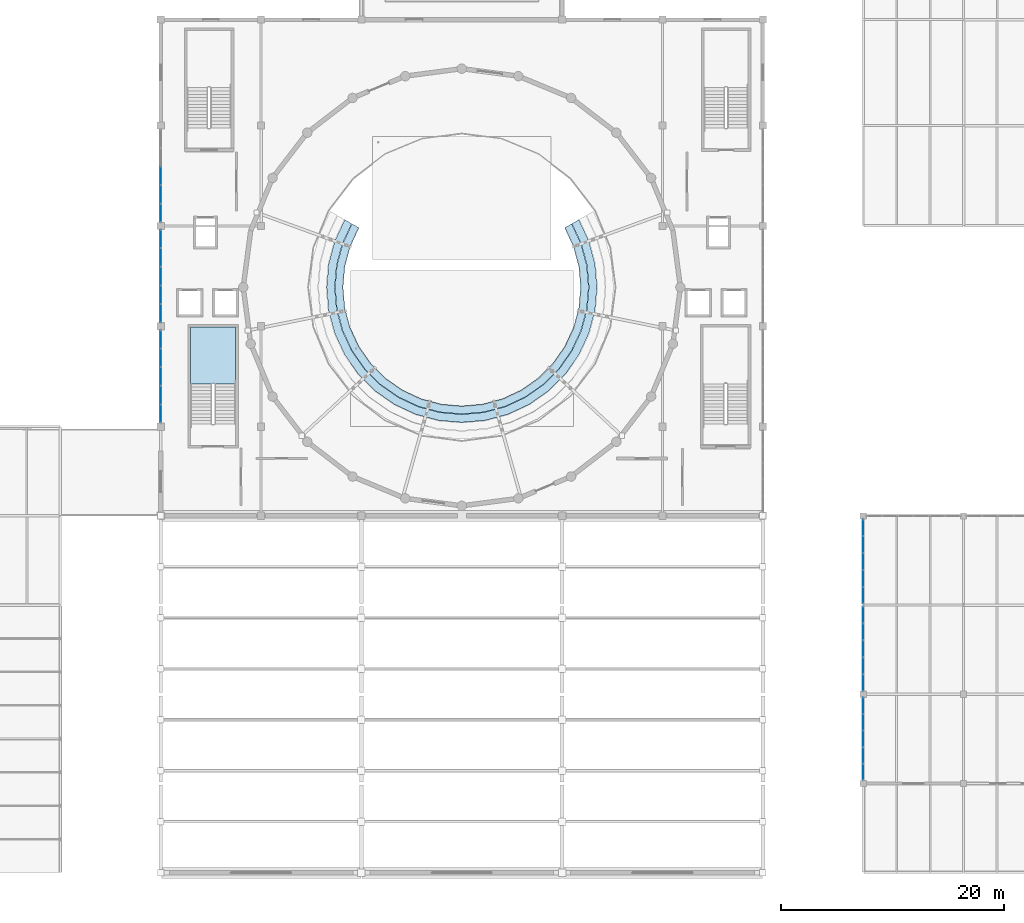
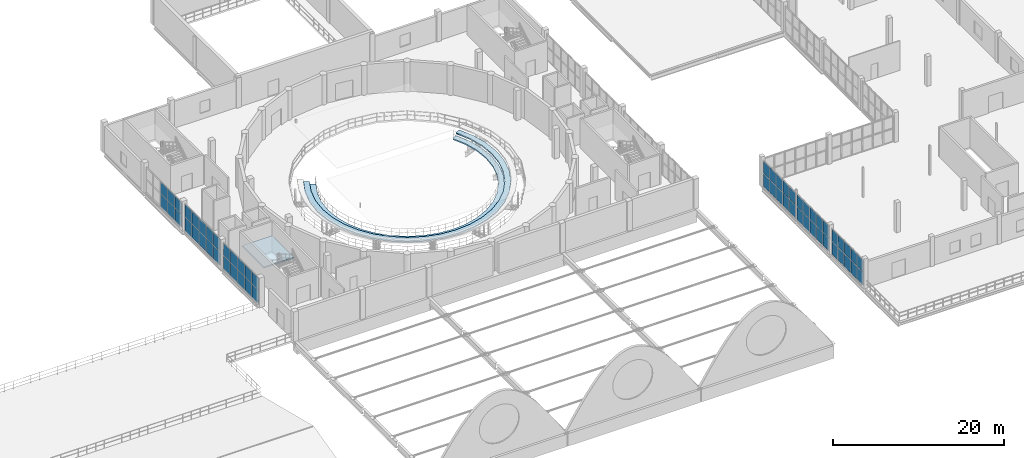
# One storey, part 34 of 54: 56 plates, 3 slabs, 7 elements without a shape of their own.
"""IFC4 building model written with IfcOpenShell, lengths in metres."""

from ifc_helpers import new_model, si_unit, direction, frame, origin, origin_2d, place, context, subcontext, project, spatial, polyline, rectangle, outline, extrude, material, layer, layer_set, type_object, element, aggregate, save


model = new_model("IFC4")

# Units and contexts
model_context = context("Model", 3, precision=1e-05, world=origin(), true_north=direction((0.0, 1.0)))
body_context = subcontext(model_context, "Body", "Model", "MODEL_VIEW")
ifc_project = project(units=[si_unit("LENGTHUNIT", "METRE"), si_unit("AREAUNIT", "SQUARE_METRE"), si_unit("VOLUMEUNIT", "CUBIC_METRE"), si_unit("PLANEANGLEUNIT", "RADIAN"), si_unit("MASSUNIT", "GRAM", prefix="KILO")], contexts=[model_context])

# Site, building, storey
site_placement = place(None, origin())
site = spatial("IfcSite", under=ifc_project, at=site_placement, CompositionType="ELEMENT")
building_placement = place(site_placement, origin())
building = spatial("IfcBuilding", under=site, at=building_placement, Name="Marnock Terrace Opera House", CompositionType="ELEMENT")
storey_placement = place(building_placement, frame((0.0, 0.0, 19.199951171875)))
storey = spatial("IfcBuildingStorey", under=building, at=storey_placement, Name="L04", CompositionType="ELEMENT", Elevation=19.199951171875)

# Curtain wall, plates
ifc_material_1 = material(Name="Anodised architectural bronze aluminium framing", Category="aluminium")
ifc_layer_1 = layer(ifc_material_1, 0.159912109375)
ifc_layer_set_1 = layer_set([ifc_layer_1], Name="Anodised architectural bronze aluminium framing")
curtain_wall_type = type_object("IfcCurtainWallType", Name="CW-DRUM-71x39", PredefinedType="NOTDEFINED", material=ifc_layer_set_1)
curtain_wall_1_placement = place(storey_placement, origin())
curtain_wall_1 = element("IfcCurtainWall", 1, at=curtain_wall_1_placement, inside=storey, type_object=curtain_wall_type, Name="L04 glazed Beaux-Arts colonnade curtain wall CW-L04-V1W2", PredefinedType="NOTDEFINED")
ifc_material_2 = material(Name="Double-glazed acoustic low-E laminated glass", Category="glass")
ifc_layer_2 = layer(ifc_material_2, 0.028076171875)
ifc_layer_set_2 = layer_set([ifc_layer_2], Name="Double-glazed acoustic low-E laminated glass")
plate_type = type_object("IfcPlateType", Name="CWP-GLZ-28", PredefinedType="CURTAIN_PANEL", material=ifc_layer_set_2)
plate_1_placement = place(storey_placement, frame((55.0, 49.171875, 0.06005859375), z_axis=(0.0, 0.0, 1.0), x_axis=(0.0, 1.0, 0.0)))
plate_1 = element("IfcPlate", 2, at=plate_1_placement, type_object=plate_type, Name="CW-76 panel 1.1", PredefinedType="CURTAIN_PANEL", context=body_context, shape_type="SweptSolid", body=[
    extrude(rectangle(XDim=1.58154296875, YDim=0.028076171875, at=origin_2d()), origin(), (0.0, 0.0, 1.0), 1.86669921875),
])
plate_2_placement = place(storey_placement, frame((55.0, 49.171875, 1.98681640625), z_axis=(0.0, 0.0, 1.0), x_axis=(0.0, 1.0, 0.0)))
plate_2 = element("IfcPlate", 3, at=plate_2_placement, type_object=plate_type, Name="CW-76 panel 1.2", PredefinedType="CURTAIN_PANEL", context=body_context, shape_type="SweptSolid", body=[
    extrude(rectangle(XDim=1.58154296875, YDim=0.028076171875, at=origin_2d()), origin(), (0.0, 0.0, 1.0), 1.716064453125),
])
plate_3_placement = place(storey_placement, frame((55.0, 50.828369140625, 0.06005859375), z_axis=(0.0, 0.0, 1.0), x_axis=(0.0, 1.0, 0.0)))
plate_3 = element("IfcPlate", 4, at=plate_3_placement, type_object=plate_type, Name="CW-76 panel 2.1", PredefinedType="CURTAIN_PANEL", context=body_context, shape_type="SweptSolid", body=[
    extrude(rectangle(XDim=1.611572265625, YDim=0.028076171875, at=origin_2d()), origin(), (0.0, 0.0, 1.0), 1.86669921875),
])
plate_4_placement = place(storey_placement, frame((55.0, 50.828369140625, 1.98681640625), z_axis=(0.0, 0.0, 1.0), x_axis=(0.0, 1.0, 0.0)))
plate_4 = element("IfcPlate", 5, at=plate_4_placement, type_object=plate_type, Name="CW-76 panel 2.2", PredefinedType="CURTAIN_PANEL", context=body_context, shape_type="SweptSolid", body=[
    extrude(rectangle(XDim=1.611572265625, YDim=0.028076171875, at=origin_2d()), origin(), (0.0, 0.0, 1.0), 1.716064453125),
])
plate_5_placement = place(storey_placement, frame((55.0, 52.5, 0.06005859375), z_axis=(0.0, 0.0, 1.0), x_axis=(0.0, 1.0, 0.0)))
plate_5 = element("IfcPlate", 6, at=plate_5_placement, type_object=plate_type, Name="CW-76 panel 3.1", PredefinedType="CURTAIN_PANEL", context=body_context, shape_type="SweptSolid", body=[
    extrude(rectangle(XDim=1.611572265625, YDim=0.028076171875, at=origin_2d()), origin(), (0.0, 0.0, 1.0), 1.86669921875),
])
plate_6_placement = place(storey_placement, frame((55.0, 52.5, 1.98681640625), z_axis=(0.0, 0.0, 1.0), x_axis=(0.0, 1.0, 0.0)))
plate_6 = element("IfcPlate", 7, at=plate_6_placement, type_object=plate_type, Name="CW-76 panel 3.2", PredefinedType="CURTAIN_PANEL", context=body_context, shape_type="SweptSolid", body=[
    extrude(rectangle(XDim=1.611572265625, YDim=0.028076171875, at=origin_2d()), origin(), (0.0, 0.0, 1.0), 1.716064453125),
])
plate_7_placement = place(storey_placement, frame((55.0, 54.171630859375, 0.06005859375), z_axis=(0.0, 0.0, 1.0), x_axis=(0.0, 1.0, 0.0)))
plate_7 = element("IfcPlate", 8, at=plate_7_placement, type_object=plate_type, Name="CW-76 panel 4.1", PredefinedType="CURTAIN_PANEL", context=body_context, shape_type="SweptSolid", body=[
    extrude(rectangle(XDim=1.611572265625, YDim=0.028076171875, at=origin_2d()), origin(), (0.0, 0.0, 1.0), 1.86669921875),
])
plate_8_placement = place(storey_placement, frame((55.0, 54.171630859375, 1.98681640625), z_axis=(0.0, 0.0, 1.0), x_axis=(0.0, 1.0, 0.0)))
plate_8 = element("IfcPlate", 9, at=plate_8_placement, type_object=plate_type, Name="CW-76 panel 4.2", PredefinedType="CURTAIN_PANEL", context=body_context, shape_type="SweptSolid", body=[
    extrude(rectangle(XDim=1.611572265625, YDim=0.028076171875, at=origin_2d()), origin(), (0.0, 0.0, 1.0), 1.716064453125),
])
plate_9_placement = place(storey_placement, frame((55.0, 55.828125, 0.06005859375), z_axis=(0.0, 0.0, 1.0), x_axis=(0.0, 1.0, 0.0)))
plate_9 = element("IfcPlate", 10, at=plate_9_placement, type_object=plate_type, Name="CW-76 panel 5.1", PredefinedType="CURTAIN_PANEL", context=body_context, shape_type="SweptSolid", body=[
    extrude(rectangle(XDim=1.58154296875, YDim=0.028076171875, at=origin_2d()), origin(), (0.0, 0.0, 1.0), 1.86669921875),
])
plate_10_placement = place(storey_placement, frame((55.0, 55.828125, 1.98681640625), z_axis=(0.0, 0.0, 1.0), x_axis=(0.0, 1.0, 0.0)))
plate_10 = element("IfcPlate", 11, at=plate_10_placement, type_object=plate_type, Name="CW-76 panel 5.2", PredefinedType="CURTAIN_PANEL", context=body_context, shape_type="SweptSolid", body=[
    extrude(rectangle(XDim=1.58154296875, YDim=0.028076171875, at=origin_2d()), origin(), (0.0, 0.0, 1.0), 1.716064453125),
])
aggregate(curtain_wall_1, [plate_1, plate_2, plate_3, plate_4, plate_5, plate_6, plate_7, plate_8, plate_9, plate_10])

curtain_wall_2_placement = place(storey_placement, origin())
curtain_wall_2 = element("IfcCurtainWall", 12, at=curtain_wall_2_placement, inside=storey, type_object=curtain_wall_type, Name="L04 glazed Beaux-Arts colonnade curtain wall CW-L04-V1W3", PredefinedType="NOTDEFINED")
plate_11_placement = place(storey_placement, frame((55.0, 58.171875, 0.06005859375), z_axis=(0.0, 0.0, 1.0), x_axis=(0.0, 1.0, 0.0)))
plate_11 = element("IfcPlate", 13, at=plate_11_placement, type_object=plate_type, Name="CW-76 panel 1.1", PredefinedType="CURTAIN_PANEL", context=body_context, shape_type="SweptSolid", body=[
    extrude(rectangle(XDim=1.58154296875, YDim=0.028076171875, at=origin_2d()), origin(), (0.0, 0.0, 1.0), 1.91943359375),
])
plate_12_placement = place(storey_placement, frame((55.0, 58.171875, 2.03955078125), z_axis=(0.0, 0.0, 1.0), x_axis=(0.0, 1.0, 0.0)))
plate_12 = element("IfcPlate", 14, at=plate_12_placement, type_object=plate_type, Name="CW-76 panel 1.2", PredefinedType="CURTAIN_PANEL", context=body_context, shape_type="SweptSolid", body=[
    extrude(rectangle(XDim=1.58154296875, YDim=0.028076171875, at=origin_2d()), origin(), (0.0, 0.0, 1.0), 1.764892578125),
])
plate_13_placement = place(storey_placement, frame((55.0, 59.828369140625, 0.06005859375), z_axis=(0.0, 0.0, 1.0), x_axis=(0.0, 1.0, 0.0)))
plate_13 = element("IfcPlate", 15, at=plate_13_placement, type_object=plate_type, Name="CW-76 panel 2.1", PredefinedType="CURTAIN_PANEL", context=body_context, shape_type="SweptSolid", body=[
    extrude(rectangle(XDim=1.611572265625, YDim=0.028076171875, at=origin_2d()), origin(), (0.0, 0.0, 1.0), 1.91943359375),
])
plate_14_placement = place(storey_placement, frame((55.0, 59.828369140625, 2.03955078125), z_axis=(0.0, 0.0, 1.0), x_axis=(0.0, 1.0, 0.0)))
plate_14 = element("IfcPlate", 16, at=plate_14_placement, type_object=plate_type, Name="CW-76 panel 2.2", PredefinedType="CURTAIN_PANEL", context=body_context, shape_type="SweptSolid", body=[
    extrude(rectangle(XDim=1.611572265625, YDim=0.028076171875, at=origin_2d()), origin(), (0.0, 0.0, 1.0), 1.764892578125),
])
plate_15_placement = place(storey_placement, frame((55.0, 61.5, 0.06005859375), z_axis=(0.0, 0.0, 1.0), x_axis=(0.0, 1.0, 0.0)))
plate_15 = element("IfcPlate", 17, at=plate_15_placement, type_object=plate_type, Name="CW-76 panel 3.1", PredefinedType="CURTAIN_PANEL", context=body_context, shape_type="SweptSolid", body=[
    extrude(rectangle(XDim=1.611572265625, YDim=0.028076171875, at=origin_2d()), origin(), (0.0, 0.0, 1.0), 1.91943359375),
])
plate_16_placement = place(storey_placement, frame((55.0, 61.5, 2.03955078125), z_axis=(0.0, 0.0, 1.0), x_axis=(0.0, 1.0, 0.0)))
plate_16 = element("IfcPlate", 18, at=plate_16_placement, type_object=plate_type, Name="CW-76 panel 3.2", PredefinedType="CURTAIN_PANEL", context=body_context, shape_type="SweptSolid", body=[
    extrude(rectangle(XDim=1.611572265625, YDim=0.028076171875, at=origin_2d()), origin(), (0.0, 0.0, 1.0), 1.764892578125),
])
plate_17_placement = place(storey_placement, frame((55.0, 63.171630859375, 0.06005859375), z_axis=(0.0, 0.0, 1.0), x_axis=(0.0, 1.0, 0.0)))
plate_17 = element("IfcPlate", 19, at=plate_17_placement, type_object=plate_type, Name="CW-76 panel 4.1", PredefinedType="CURTAIN_PANEL", context=body_context, shape_type="SweptSolid", body=[
    extrude(rectangle(XDim=1.611572265625, YDim=0.028076171875, at=origin_2d()), origin(), (0.0, 0.0, 1.0), 1.91943359375),
])
plate_18_placement = place(storey_placement, frame((55.0, 63.171630859375, 2.03955078125), z_axis=(0.0, 0.0, 1.0), x_axis=(0.0, 1.0, 0.0)))
plate_18 = element("IfcPlate", 20, at=plate_18_placement, type_object=plate_type, Name="CW-76 panel 4.2", PredefinedType="CURTAIN_PANEL", context=body_context, shape_type="SweptSolid", body=[
    extrude(rectangle(XDim=1.611572265625, YDim=0.028076171875, at=origin_2d()), origin(), (0.0, 0.0, 1.0), 1.764892578125),
])
plate_19_placement = place(storey_placement, frame((55.0, 64.828125, 0.06005859375), z_axis=(0.0, 0.0, 1.0), x_axis=(0.0, 1.0, 0.0)))
plate_19 = element("IfcPlate", 21, at=plate_19_placement, type_object=plate_type, Name="CW-76 panel 5.1", PredefinedType="CURTAIN_PANEL", context=body_context, shape_type="SweptSolid", body=[
    extrude(rectangle(XDim=1.58154296875, YDim=0.028076171875, at=origin_2d()), origin(), (0.0, 0.0, 1.0), 1.91943359375),
])
plate_20_placement = place(storey_placement, frame((55.0, 64.828125, 2.03955078125), z_axis=(0.0, 0.0, 1.0), x_axis=(0.0, 1.0, 0.0)))
plate_20 = element("IfcPlate", 22, at=plate_20_placement, type_object=plate_type, Name="CW-76 panel 5.2", PredefinedType="CURTAIN_PANEL", context=body_context, shape_type="SweptSolid", body=[
    extrude(rectangle(XDim=1.58154296875, YDim=0.028076171875, at=origin_2d()), origin(), (0.0, 0.0, 1.0), 1.764892578125),
])
aggregate(curtain_wall_2, [plate_11, plate_12, plate_13, plate_14, plate_15, plate_16, plate_17, plate_18, plate_19, plate_20])

curtain_wall_3_placement = place(storey_placement, origin())
curtain_wall_3 = element("IfcCurtainWall", 23, at=curtain_wall_3_placement, inside=storey, type_object=curtain_wall_type, Name="L04 glazed Beaux-Arts colonnade curtain wall CW-L04-V1W4", PredefinedType="NOTDEFINED")
plate_21_placement = place(storey_placement, frame((55.0, 67.171875, 0.06005859375), z_axis=(0.0, 0.0, 1.0), x_axis=(0.0, 1.0, 0.0)))
plate_21 = element("IfcPlate", 24, at=plate_21_placement, type_object=plate_type, Name="CW-76 panel 1.1", PredefinedType="CURTAIN_PANEL", context=body_context, shape_type="SweptSolid", body=[
    extrude(rectangle(XDim=1.58154296875, YDim=0.028076171875, at=origin_2d()), origin(), (0.0, 0.0, 1.0), 1.79150390625),
])
plate_22_placement = place(storey_placement, frame((55.0, 67.171875, 1.91162109375), z_axis=(0.0, 0.0, 1.0), x_axis=(0.0, 1.0, 0.0)))
plate_22 = element("IfcPlate", 25, at=plate_22_placement, type_object=plate_type, Name="CW-76 panel 1.2", PredefinedType="CURTAIN_PANEL", context=body_context, shape_type="SweptSolid", body=[
    extrude(rectangle(XDim=1.58154296875, YDim=0.028076171875, at=origin_2d()), origin(), (0.0, 0.0, 1.0), 1.646484375),
])
plate_23_placement = place(storey_placement, frame((55.0, 68.828369140625, 0.06005859375), z_axis=(0.0, 0.0, 1.0), x_axis=(0.0, 1.0, 0.0)))
plate_23 = element("IfcPlate", 26, at=plate_23_placement, type_object=plate_type, Name="CW-76 panel 2.1", PredefinedType="CURTAIN_PANEL", context=body_context, shape_type="SweptSolid", body=[
    extrude(rectangle(XDim=1.611572265625, YDim=0.028076171875, at=origin_2d()), origin(), (0.0, 0.0, 1.0), 1.79150390625),
])
plate_24_placement = place(storey_placement, frame((55.0, 68.828369140625, 1.91162109375), z_axis=(0.0, 0.0, 1.0), x_axis=(0.0, 1.0, 0.0)))
plate_24 = element("IfcPlate", 27, at=plate_24_placement, type_object=plate_type, Name="CW-76 panel 2.2", PredefinedType="CURTAIN_PANEL", context=body_context, shape_type="SweptSolid", body=[
    extrude(rectangle(XDim=1.611572265625, YDim=0.028076171875, at=origin_2d()), origin(), (0.0, 0.0, 1.0), 1.646484375),
])
plate_25_placement = place(storey_placement, frame((55.0, 70.5, 0.06005859375), z_axis=(0.0, 0.0, 1.0), x_axis=(0.0, 1.0, 0.0)))
plate_25 = element("IfcPlate", 28, at=plate_25_placement, type_object=plate_type, Name="CW-76 panel 3.1", PredefinedType="CURTAIN_PANEL", context=body_context, shape_type="SweptSolid", body=[
    extrude(rectangle(XDim=1.611572265625, YDim=0.028076171875, at=origin_2d()), origin(), (0.0, 0.0, 1.0), 1.79150390625),
])
plate_26_placement = place(storey_placement, frame((55.0, 70.5, 1.91162109375), z_axis=(0.0, 0.0, 1.0), x_axis=(0.0, 1.0, 0.0)))
plate_26 = element("IfcPlate", 29, at=plate_26_placement, type_object=plate_type, Name="CW-76 panel 3.2", PredefinedType="CURTAIN_PANEL", context=body_context, shape_type="SweptSolid", body=[
    extrude(rectangle(XDim=1.611572265625, YDim=0.028076171875, at=origin_2d()), origin(), (0.0, 0.0, 1.0), 1.646484375),
])
aggregate(curtain_wall_3, [plate_21, plate_22, plate_23, plate_24, plate_25, plate_26])

curtain_wall_4_placement = place(storey_placement, origin())
curtain_wall_4 = element("IfcCurtainWall", 30, at=curtain_wall_4_placement, inside=storey, type_object=curtain_wall_type, Name="L04 glazed Beaux-Arts colonnade curtain wall CW-L04-V5W1", PredefinedType="NOTDEFINED")
plate_27_placement = place(storey_placement, frame((118.0, 17.03173828125, 0.06005859375), z_axis=(0.0, 0.0, 1.0), x_axis=(0.0, 1.0, 0.0)))
plate_27 = element("IfcPlate", 31, at=plate_27_placement, type_object=plate_type, Name="CW-76 panel 1.1", PredefinedType="CURTAIN_PANEL", context=body_context, shape_type="SweptSolid", body=[
    extrude(rectangle(XDim=1.401611328125, YDim=0.028076171875, at=origin_2d()), origin(), (0.0, 0.0, 1.0), 1.845458984375),
])
plate_28_placement = place(storey_placement, frame((118.0, 17.03173828125, 1.96533203125), z_axis=(0.0, 0.0, 1.0), x_axis=(0.0, 1.0, 0.0)))
plate_28 = element("IfcPlate", 32, at=plate_28_placement, type_object=plate_type, Name="CW-76 panel 1.2", PredefinedType="CURTAIN_PANEL", context=body_context, shape_type="SweptSolid", body=[
    extrude(rectangle(XDim=1.401611328125, YDim=0.028076171875, at=origin_2d()), origin(), (0.0, 0.0, 1.0), 1.696533203125),
])
plate_29_placement = place(storey_placement, frame((118.0, 18.50830078125, 0.06005859375), z_axis=(0.0, 0.0, 1.0), x_axis=(0.0, 1.0, 0.0)))
plate_29 = element("IfcPlate", 33, at=plate_29_placement, type_object=plate_type, Name="CW-76 panel 2.1", PredefinedType="CURTAIN_PANEL", context=body_context, shape_type="SweptSolid", body=[
    extrude(rectangle(XDim=1.431640625, YDim=0.028076171875, at=origin_2d()), origin(), (0.0, 0.0, 1.0), 1.845458984375),
])
plate_30_placement = place(storey_placement, frame((118.0, 18.50830078125, 1.96533203125), z_axis=(0.0, 0.0, 1.0), x_axis=(0.0, 1.0, 0.0)))
plate_30 = element("IfcPlate", 34, at=plate_30_placement, type_object=plate_type, Name="CW-76 panel 2.2", PredefinedType="CURTAIN_PANEL", context=body_context, shape_type="SweptSolid", body=[
    extrude(rectangle(XDim=1.431640625, YDim=0.028076171875, at=origin_2d()), origin(), (0.0, 0.0, 1.0), 1.696533203125),
])
plate_31_placement = place(storey_placement, frame((118.0, 20.0, 0.06005859375), z_axis=(0.0, 0.0, 1.0), x_axis=(0.0, 1.0, 0.0)))
plate_31 = element("IfcPlate", 35, at=plate_31_placement, type_object=plate_type, Name="CW-76 panel 3.1", PredefinedType="CURTAIN_PANEL", context=body_context, shape_type="SweptSolid", body=[
    extrude(rectangle(XDim=1.431640625, YDim=0.028076171875, at=origin_2d()), origin(), (0.0, 0.0, 1.0), 1.845458984375),
])
plate_32_placement = place(storey_placement, frame((118.0, 20.0, 1.96533203125), z_axis=(0.0, 0.0, 1.0), x_axis=(0.0, 1.0, 0.0)))
plate_32 = element("IfcPlate", 36, at=plate_32_placement, type_object=plate_type, Name="CW-76 panel 3.2", PredefinedType="CURTAIN_PANEL", context=body_context, shape_type="SweptSolid", body=[
    extrude(rectangle(XDim=1.431640625, YDim=0.028076171875, at=origin_2d()), origin(), (0.0, 0.0, 1.0), 1.696533203125),
])
plate_33_placement = place(storey_placement, frame((118.0, 21.49169921875, 0.06005859375), z_axis=(0.0, 0.0, 1.0), x_axis=(0.0, 1.0, 0.0)))
plate_33 = element("IfcPlate", 37, at=plate_33_placement, type_object=plate_type, Name="CW-76 panel 4.1", PredefinedType="CURTAIN_PANEL", context=body_context, shape_type="SweptSolid", body=[
    extrude(rectangle(XDim=1.431640625, YDim=0.028076171875, at=origin_2d()), origin(), (0.0, 0.0, 1.0), 1.845458984375),
])
plate_34_placement = place(storey_placement, frame((118.0, 21.49169921875, 1.96533203125), z_axis=(0.0, 0.0, 1.0), x_axis=(0.0, 1.0, 0.0)))
plate_34 = element("IfcPlate", 38, at=plate_34_placement, type_object=plate_type, Name="CW-76 panel 4.2", PredefinedType="CURTAIN_PANEL", context=body_context, shape_type="SweptSolid", body=[
    extrude(rectangle(XDim=1.431640625, YDim=0.028076171875, at=origin_2d()), origin(), (0.0, 0.0, 1.0), 1.696533203125),
])
plate_35_placement = place(storey_placement, frame((118.0, 22.96826171875, 0.06005859375), z_axis=(0.0, 0.0, 1.0), x_axis=(0.0, 1.0, 0.0)))
plate_35 = element("IfcPlate", 39, at=plate_35_placement, type_object=plate_type, Name="CW-76 panel 5.1", PredefinedType="CURTAIN_PANEL", context=body_context, shape_type="SweptSolid", body=[
    extrude(rectangle(XDim=1.401611328125, YDim=0.028076171875, at=origin_2d()), origin(), (0.0, 0.0, 1.0), 1.845458984375),
])
plate_36_placement = place(storey_placement, frame((118.0, 22.96826171875, 1.96533203125), z_axis=(0.0, 0.0, 1.0), x_axis=(0.0, 1.0, 0.0)))
plate_36 = element("IfcPlate", 40, at=plate_36_placement, type_object=plate_type, Name="CW-76 panel 5.2", PredefinedType="CURTAIN_PANEL", context=body_context, shape_type="SweptSolid", body=[
    extrude(rectangle(XDim=1.401611328125, YDim=0.028076171875, at=origin_2d()), origin(), (0.0, 0.0, 1.0), 1.696533203125),
])
aggregate(curtain_wall_4, [plate_27, plate_28, plate_29, plate_30, plate_31, plate_32, plate_33, plate_34, plate_35, plate_36])

curtain_wall_5_placement = place(storey_placement, origin())
curtain_wall_5 = element("IfcCurtainWall", 41, at=curtain_wall_5_placement, inside=storey, type_object=curtain_wall_type, Name="L04 glazed Beaux-Arts colonnade curtain wall CW-L04-V5W2", PredefinedType="NOTDEFINED")
plate_37_placement = place(storey_placement, frame((118.0, 25.048828125, 0.06005859375), z_axis=(0.0, 0.0, 1.0), x_axis=(0.0, 1.0, 0.0)))
plate_37 = element("IfcPlate", 42, at=plate_37_placement, type_object=plate_type, Name="CW-76 panel 1.1", PredefinedType="CURTAIN_PANEL", context=body_context, shape_type="SweptSolid", body=[
    extrude(rectangle(XDim=1.435546875, YDim=0.028076171875, at=origin_2d()), origin(), (0.0, 0.0, 1.0), 1.845458984375),
])
plate_38_placement = place(storey_placement, frame((118.0, 25.048828125, 1.96533203125), z_axis=(0.0, 0.0, 1.0), x_axis=(0.0, 1.0, 0.0)))
plate_38 = element("IfcPlate", 43, at=plate_38_placement, type_object=plate_type, Name="CW-76 panel 1.2", PredefinedType="CURTAIN_PANEL", context=body_context, shape_type="SweptSolid", body=[
    extrude(rectangle(XDim=1.435546875, YDim=0.028076171875, at=origin_2d()), origin(), (0.0, 0.0, 1.0), 1.696533203125),
])
plate_39_placement = place(storey_placement, frame((118.0, 26.559326171875, 0.06005859375), z_axis=(0.0, 0.0, 1.0), x_axis=(0.0, 1.0, 0.0)))
plate_39 = element("IfcPlate", 44, at=plate_39_placement, type_object=plate_type, Name="CW-76 panel 2.1", PredefinedType="CURTAIN_PANEL", context=body_context, shape_type="SweptSolid", body=[
    extrude(rectangle(XDim=1.465576171875, YDim=0.028076171875, at=origin_2d()), origin(), (0.0, 0.0, 1.0), 1.845458984375),
])
plate_40_placement = place(storey_placement, frame((118.0, 26.559326171875, 1.96533203125), z_axis=(0.0, 0.0, 1.0), x_axis=(0.0, 1.0, 0.0)))
plate_40 = element("IfcPlate", 45, at=plate_40_placement, type_object=plate_type, Name="CW-76 panel 2.2", PredefinedType="CURTAIN_PANEL", context=body_context, shape_type="SweptSolid", body=[
    extrude(rectangle(XDim=1.465576171875, YDim=0.028076171875, at=origin_2d()), origin(), (0.0, 0.0, 1.0), 1.696533203125),
])
plate_41_placement = place(storey_placement, frame((118.0, 28.0849609375, 0.06005859375), z_axis=(0.0, 0.0, 1.0), x_axis=(0.0, 1.0, 0.0)))
plate_41 = element("IfcPlate", 46, at=plate_41_placement, type_object=plate_type, Name="CW-76 panel 3.1", PredefinedType="CURTAIN_PANEL", context=body_context, shape_type="SweptSolid", body=[
    extrude(rectangle(XDim=1.465576171875, YDim=0.028076171875, at=origin_2d()), origin(), (0.0, 0.0, 1.0), 1.845458984375),
])
plate_42_placement = place(storey_placement, frame((118.0, 28.0849609375, 1.96533203125), z_axis=(0.0, 0.0, 1.0), x_axis=(0.0, 1.0, 0.0)))
plate_42 = element("IfcPlate", 47, at=plate_42_placement, type_object=plate_type, Name="CW-76 panel 3.2", PredefinedType="CURTAIN_PANEL", context=body_context, shape_type="SweptSolid", body=[
    extrude(rectangle(XDim=1.465576171875, YDim=0.028076171875, at=origin_2d()), origin(), (0.0, 0.0, 1.0), 1.696533203125),
])
plate_43_placement = place(storey_placement, frame((118.0, 29.610595703125, 0.06005859375), z_axis=(0.0, 0.0, 1.0), x_axis=(0.0, 1.0, 0.0)))
plate_43 = element("IfcPlate", 48, at=plate_43_placement, type_object=plate_type, Name="CW-76 panel 4.1", PredefinedType="CURTAIN_PANEL", context=body_context, shape_type="SweptSolid", body=[
    extrude(rectangle(XDim=1.465576171875, YDim=0.028076171875, at=origin_2d()), origin(), (0.0, 0.0, 1.0), 1.845458984375),
])
plate_44_placement = place(storey_placement, frame((118.0, 29.610595703125, 1.96533203125), z_axis=(0.0, 0.0, 1.0), x_axis=(0.0, 1.0, 0.0)))
plate_44 = element("IfcPlate", 49, at=plate_44_placement, type_object=plate_type, Name="CW-76 panel 4.2", PredefinedType="CURTAIN_PANEL", context=body_context, shape_type="SweptSolid", body=[
    extrude(rectangle(XDim=1.465576171875, YDim=0.028076171875, at=origin_2d()), origin(), (0.0, 0.0, 1.0), 1.696533203125),
])
plate_45_placement = place(storey_placement, frame((118.0, 31.121337890625, 0.06005859375), z_axis=(0.0, 0.0, 1.0), x_axis=(0.0, 1.0, 0.0)))
plate_45 = element("IfcPlate", 50, at=plate_45_placement, type_object=plate_type, Name="CW-76 panel 5.1", PredefinedType="CURTAIN_PANEL", context=body_context, shape_type="SweptSolid", body=[
    extrude(rectangle(XDim=1.435546875, YDim=0.028076171875, at=origin_2d()), origin(), (0.0, 0.0, 1.0), 1.845458984375),
])
plate_46_placement = place(storey_placement, frame((118.0, 31.121337890625, 1.96533203125), z_axis=(0.0, 0.0, 1.0), x_axis=(0.0, 1.0, 0.0)))
plate_46 = element("IfcPlate", 51, at=plate_46_placement, type_object=plate_type, Name="CW-76 panel 5.2", PredefinedType="CURTAIN_PANEL", context=body_context, shape_type="SweptSolid", body=[
    extrude(rectangle(XDim=1.435546875, YDim=0.028076171875, at=origin_2d()), origin(), (0.0, 0.0, 1.0), 1.696533203125),
])
aggregate(curtain_wall_5, [plate_37, plate_38, plate_39, plate_40, plate_41, plate_42, plate_43, plate_44, plate_45, plate_46])

curtain_wall_6_placement = place(storey_placement, origin())
curtain_wall_6 = element("IfcCurtainWall", 52, at=curtain_wall_6_placement, inside=storey, type_object=curtain_wall_type, Name="L04 glazed Beaux-Arts colonnade curtain wall CW-L04-V5W3", PredefinedType="NOTDEFINED")
plate_47_placement = place(storey_placement, frame((118.0, 32.878662109375, 0.06005859375), z_axis=(0.0, 0.0, 1.0), x_axis=(0.0, 1.0, 0.0)))
plate_47 = element("IfcPlate", 53, at=plate_47_placement, type_object=plate_type, Name="CW-76 panel 1.1", PredefinedType="CURTAIN_PANEL", context=body_context, shape_type="SweptSolid", body=[
    extrude(rectangle(XDim=1.435546875, YDim=0.028076171875, at=origin_2d()), origin(), (0.0, 0.0, 1.0), 1.845458984375),
])
plate_48_placement = place(storey_placement, frame((118.0, 32.878662109375, 1.96533203125), z_axis=(0.0, 0.0, 1.0), x_axis=(0.0, 1.0, 0.0)))
plate_48 = element("IfcPlate", 54, at=plate_48_placement, type_object=plate_type, Name="CW-76 panel 1.2", PredefinedType="CURTAIN_PANEL", context=body_context, shape_type="SweptSolid", body=[
    extrude(rectangle(XDim=1.435546875, YDim=0.028076171875, at=origin_2d()), origin(), (0.0, 0.0, 1.0), 1.696533203125),
])
plate_49_placement = place(storey_placement, frame((118.0, 34.389404296875, 0.06005859375), z_axis=(0.0, 0.0, 1.0), x_axis=(0.0, 1.0, 0.0)))
plate_49 = element("IfcPlate", 55, at=plate_49_placement, type_object=plate_type, Name="CW-76 panel 2.1", PredefinedType="CURTAIN_PANEL", context=body_context, shape_type="SweptSolid", body=[
    extrude(rectangle(XDim=1.465576171875, YDim=0.028076171875, at=origin_2d()), origin(), (0.0, 0.0, 1.0), 1.845458984375),
])
plate_50_placement = place(storey_placement, frame((118.0, 34.389404296875, 1.96533203125), z_axis=(0.0, 0.0, 1.0), x_axis=(0.0, 1.0, 0.0)))
plate_50 = element("IfcPlate", 56, at=plate_50_placement, type_object=plate_type, Name="CW-76 panel 2.2", PredefinedType="CURTAIN_PANEL", context=body_context, shape_type="SweptSolid", body=[
    extrude(rectangle(XDim=1.465576171875, YDim=0.028076171875, at=origin_2d()), origin(), (0.0, 0.0, 1.0), 1.696533203125),
])
plate_51_placement = place(storey_placement, frame((118.0, 35.9150390625, 0.06005859375), z_axis=(0.0, 0.0, 1.0), x_axis=(0.0, 1.0, 0.0)))
plate_51 = element("IfcPlate", 57, at=plate_51_placement, type_object=plate_type, Name="CW-76 panel 3.1", PredefinedType="CURTAIN_PANEL", context=body_context, shape_type="SweptSolid", body=[
    extrude(rectangle(XDim=1.465576171875, YDim=0.028076171875, at=origin_2d()), origin(), (0.0, 0.0, 1.0), 1.845458984375),
])
plate_52_placement = place(storey_placement, frame((118.0, 35.9150390625, 1.96533203125), z_axis=(0.0, 0.0, 1.0), x_axis=(0.0, 1.0, 0.0)))
plate_52 = element("IfcPlate", 58, at=plate_52_placement, type_object=plate_type, Name="CW-76 panel 3.2", PredefinedType="CURTAIN_PANEL", context=body_context, shape_type="SweptSolid", body=[
    extrude(rectangle(XDim=1.465576171875, YDim=0.028076171875, at=origin_2d()), origin(), (0.0, 0.0, 1.0), 1.696533203125),
])
plate_53_placement = place(storey_placement, frame((118.0, 37.440673828125, 0.06005859375), z_axis=(0.0, 0.0, 1.0), x_axis=(0.0, 1.0, 0.0)))
plate_53 = element("IfcPlate", 59, at=plate_53_placement, type_object=plate_type, Name="CW-76 panel 4.1", PredefinedType="CURTAIN_PANEL", context=body_context, shape_type="SweptSolid", body=[
    extrude(rectangle(XDim=1.465576171875, YDim=0.028076171875, at=origin_2d()), origin(), (0.0, 0.0, 1.0), 1.845458984375),
])
plate_54_placement = place(storey_placement, frame((118.0, 37.440673828125, 1.96533203125), z_axis=(0.0, 0.0, 1.0), x_axis=(0.0, 1.0, 0.0)))
plate_54 = element("IfcPlate", 60, at=plate_54_placement, type_object=plate_type, Name="CW-76 panel 4.2", PredefinedType="CURTAIN_PANEL", context=body_context, shape_type="SweptSolid", body=[
    extrude(rectangle(XDim=1.465576171875, YDim=0.028076171875, at=origin_2d()), origin(), (0.0, 0.0, 1.0), 1.696533203125),
])
plate_55_placement = place(storey_placement, frame((118.0, 38.951171875, 0.06005859375), z_axis=(0.0, 0.0, 1.0), x_axis=(0.0, 1.0, 0.0)))
plate_55 = element("IfcPlate", 61, at=plate_55_placement, type_object=plate_type, Name="CW-76 panel 5.1", PredefinedType="CURTAIN_PANEL", context=body_context, shape_type="SweptSolid", body=[
    extrude(rectangle(XDim=1.435546875, YDim=0.028076171875, at=origin_2d()), origin(), (0.0, 0.0, 1.0), 1.845458984375),
])
plate_56_placement = place(storey_placement, frame((118.0, 38.951171875, 1.96533203125), z_axis=(0.0, 0.0, 1.0), x_axis=(0.0, 1.0, 0.0)))
plate_56 = element("IfcPlate", 62, at=plate_56_placement, type_object=plate_type, Name="CW-76 panel 5.2", PredefinedType="CURTAIN_PANEL", context=body_context, shape_type="SweptSolid", body=[
    extrude(rectangle(XDim=1.435546875, YDim=0.028076171875, at=origin_2d()), origin(), (0.0, 0.0, 1.0), 1.696533203125),
])
aggregate(curtain_wall_6, [plate_47, plate_48, plate_49, plate_50, plate_51, plate_52, plate_53, plate_54, plate_55, plate_56])

# Stair, slab
ifc_material_3 = material(Name="Concrete N40 (f'c = 40 MPa)", Category="concrete")
stair_type = type_object("IfcStairType", Name="ST-TYPE-2600", PredefinedType="HALF_TURN_STAIR", material=ifc_material_3)
stair_placement = place(storey_placement, origin())
stair = element("IfcStair", 63, at=stair_placement, inside=storey, type_object=stair_type, Name="L04 ST-01", PredefinedType="HALF_TURN_STAIR")
ifc_material_4 = material(Name="Concrete N32 (f'c = 32 MPa)", Category="concrete")
ifc_layer_3 = layer(ifc_material_4, 0.199951171875)
ifc_layer_set_3 = layer_set([ifc_layer_3], Name="Concrete N32 (f'c = 32 MPa)")
slab_type_1 = type_object("IfcSlabType", Name="SL-LAND-200", PredefinedType="LANDING", material=ifc_layer_set_3)
slab_1_placement = place(storey_placement, frame((0.0, 0.0, 2.050048828125)))
slab_1 = element("IfcSlab", 64, at=slab_1_placement, type_object=slab_type_1, Name="ST-01 landing 1", PredefinedType="LANDING", context=body_context, shape_type="SweptSolid", body=[
    extrude(outline(polyline([(61.719970703125, 51.840087890625), (61.719970703125, 56.919921875), (57.679931640625, 56.919921875), (57.679931640625, 51.840087890625), (61.719970703125, 51.840087890625)])), origin(), (0.0, 0.0, 1.0), 0.199951171875),
])
aggregate(stair, [slab_1])

# Slabs
ifc_layer_4 = layer(ifc_material_3, 0.175048828125)
ifc_layer_set_4 = layer_set([ifc_layer_4], Name="Concrete N40 (f'c = 40 MPa)")
slab_type_2 = type_object("IfcSlabType", Name="SL-TIER-175", PredefinedType="USERDEFINED", material=ifc_layer_set_4)
slab_2_placement = place(storey_placement, frame((0.0, 0.0, 0.175048828125)))
element("IfcSlab", 65, at=slab_2_placement, inside=storey, type_object=slab_type_2, Name="L04 Main Auditorium horseshoe seating tier 1", ObjectType="SEATING TIER", PredefinedType="USERDEFINED", context=body_context, shape_type="SweptSolid", body=[
    extrude(outline(polyline([(72.1533203125, 66.18505859375), (71.315673828125, 64.388916015625), (70.802734375, 62.474365234375), (70.6298828125, 60.5), (70.802734375, 58.525634765625), (71.315673828125, 56.611083984375), (72.1533203125, 54.81494140625), (73.2900390625, 53.19140625), (74.69140625, 51.7900390625), (76.31494140625, 50.6533203125), (78.111083984375, 49.815673828125), (80.025634765625, 49.302734375), (82.0, 49.1298828125), (83.974365234375, 49.302734375), (85.888916015625, 49.815673828125), (87.68505859375, 50.6533203125), (89.30859375, 51.7900390625), (90.7099609375, 53.19140625), (91.8466796875, 54.81494140625), (92.684326171875, 56.611083984375), (93.197265625, 58.525634765625), (93.3701171875, 60.5), (93.197265625, 62.474365234375), (92.684326171875, 64.388916015625), (91.8466796875, 66.18505859375), (91.22314453125, 65.824951171875), (92.0078125, 64.142578125), (92.48828125, 62.349365234375), (92.64990234375, 60.5), (92.48828125, 58.650634765625), (92.0078125, 56.857421875), (91.22314453125, 55.175048828125), (90.158447265625, 53.654296875), (88.845703125, 52.341552734375), (87.324951171875, 51.27685546875), (85.642578125, 50.4921875), (83.849365234375, 50.01171875), (82.0, 49.85009765625), (80.150634765625, 50.01171875), (78.357421875, 50.4921875), (76.675048828125, 51.27685546875), (75.154296875, 52.341552734375), (73.841552734375, 53.654296875), (72.77685546875, 55.175048828125), (71.9921875, 56.857421875), (71.51171875, 58.650634765625), (71.35009765625, 60.5), (71.51171875, 62.349365234375), (71.9921875, 64.142578125), (72.77685546875, 65.824951171875), (72.1533203125, 66.18505859375)])), origin(), (0.0, 0.0, 1.0), 0.175048828125),
])
slab_3_placement = place(storey_placement, frame((0.0, 0.0, 0.53515625)))
element("IfcSlab", 66, at=slab_3_placement, inside=storey, type_object=slab_type_2, Name="L04 Main Auditorium horseshoe seating tier 2", ObjectType="SEATING TIER", PredefinedType="USERDEFINED", context=body_context, shape_type="SweptSolid", body=[
    extrude(outline(polyline([(71.50390625, 66.56005859375), (70.61083984375, 64.645263671875), (70.064208984375, 62.6044921875), (69.8798828125, 60.5), (70.064208984375, 58.3955078125), (70.61083984375, 56.354736328125), (71.50390625, 54.43994140625), (72.715576171875, 52.70947265625), (74.20947265625, 51.215576171875), (75.93994140625, 50.00390625), (77.854736328125, 49.11083984375), (79.8955078125, 48.564208984375), (82.0, 48.3798828125), (84.1044921875, 48.564208984375), (86.145263671875, 49.11083984375), (88.06005859375, 50.00390625), (89.79052734375, 51.215576171875), (91.284423828125, 52.70947265625), (92.49609375, 54.43994140625), (93.38916015625, 56.354736328125), (93.935791015625, 58.3955078125), (94.1201171875, 60.5), (93.935791015625, 62.6044921875), (93.38916015625, 64.645263671875), (92.49609375, 66.56005859375), (91.872802734375, 66.199951171875), (92.71240234375, 64.39892578125), (93.226806640625, 62.4794921875), (93.39990234375, 60.5), (93.226806640625, 58.5205078125), (92.71240234375, 56.60107421875), (91.872802734375, 54.800048828125), (90.73291015625, 53.172119140625), (89.327880859375, 51.76708984375), (87.699951171875, 50.627197265625), (85.89892578125, 49.78759765625), (83.9794921875, 49.273193359375), (82.0, 49.10009765625), (80.0205078125, 49.273193359375), (78.10107421875, 49.78759765625), (76.300048828125, 50.627197265625), (74.672119140625, 51.76708984375), (73.26708984375, 53.172119140625), (72.127197265625, 54.800048828125), (71.28759765625, 56.60107421875), (70.773193359375, 58.5205078125), (70.60009765625, 60.5), (70.773193359375, 62.4794921875), (71.28759765625, 64.39892578125), (72.127197265625, 66.199951171875), (71.50390625, 66.56005859375)])), origin(), (0.0, 0.0, 1.0), 0.1748046875),
])

save(model, "model.ifc")
